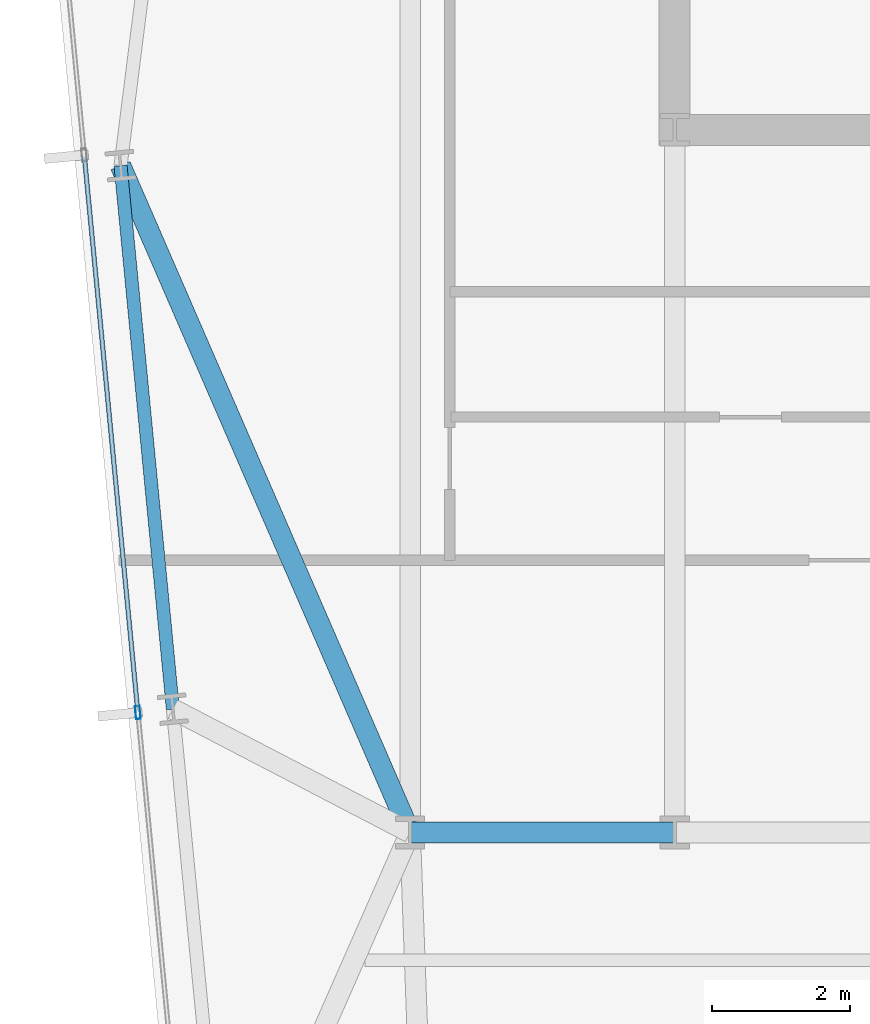
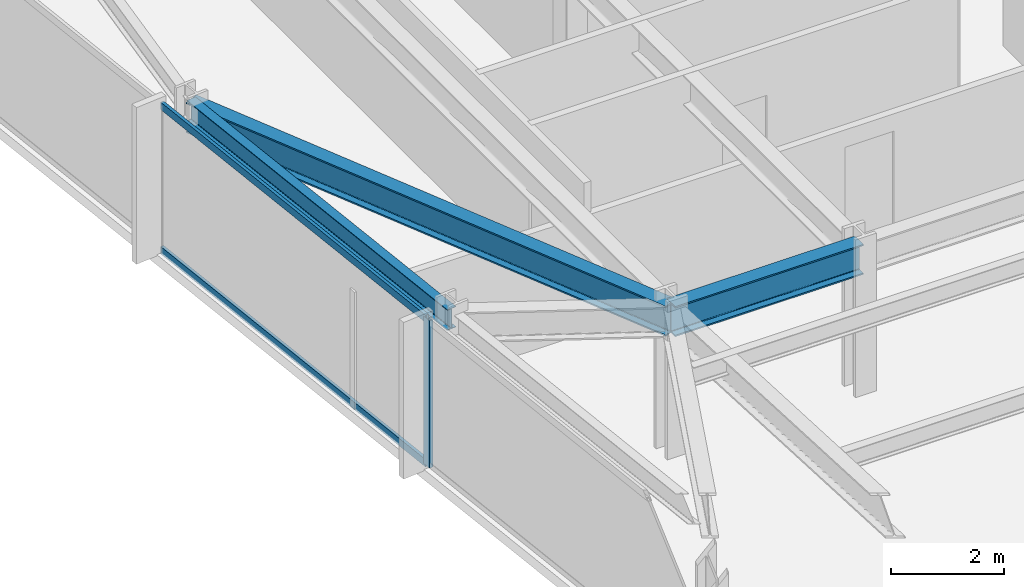
# One storey, part 6 of 32: 3 beams, 3 members, 1 element without a shape of its own.
"""IFC4 building model written with IfcOpenShell, lengths in metres."""

from ifc_helpers import new_model, si_unit, direction, frame, origin, origin_2d, place, context, subcontext, project, spatial, hollow_rectangle, i_section, extrude, material, material_profile, profile_set, type_object, element, aggregate, save


model = new_model("IFC4")

# Units and contexts
model_context = context("Model", 3, precision=1e-05, world=origin(), true_north=direction((0.0, 1.0)))
body_context = subcontext(model_context, "Body", "Model", "MODEL_VIEW")
ifc_project = project(units=[si_unit("LENGTHUNIT", "METRE"), si_unit("AREAUNIT", "SQUARE_METRE"), si_unit("VOLUMEUNIT", "CUBIC_METRE"), si_unit("PLANEANGLEUNIT", "RADIAN"), si_unit("MASSUNIT", "GRAM", prefix="KILO")], contexts=[model_context])

# Site, building, storey
site_placement = place(None, origin())
site = spatial("IfcSite", under=ifc_project, at=site_placement, CompositionType="ELEMENT")
building_placement = place(site_placement, origin())
building = spatial("IfcBuilding", under=site, at=building_placement, Name="Yelkora Congress Tower", CompositionType="ELEMENT")
storey_placement = place(building_placement, frame((0.0, 0.0, 116.89990234375)))
storey = spatial("IfcBuildingStorey", under=building, at=storey_placement, Name="L31", CompositionType="ELEMENT", Elevation=116.89990234375)

# Beams
ifc_material_1 = material(Name="Steel S355J2", Category="steel")
ifc_material_profile_1 = material_profile(ifc_material_1, i_section(OverallWidth=0.300048828125, OverallDepth=0.64990234375, WebThickness=0.01611328125, FlangeThickness=0.031005859375, FilletRadius=0.027099609375, at=origin_2d()), Name="HEB 650")
ifc_profile_set_1 = profile_set([ifc_material_profile_1], Name="Steel S355J2")
beam_type_1 = type_object("IfcBeamType", Name="BM-GIRD-HEB650", PredefinedType="BEAM", material=ifc_profile_set_1)
beam_1_placement = place(storey_placement, frame((19.199951171875, 25.199951171875, 2.85498046875), z_axis=(1.0, 0.0, 0.0), x_axis=(0.0, 1.0, 0.0)))
element("IfcBeam", 1, at=beam_1_placement, inside=storey, type_object=beam_type_1, Name="L31 Spine Grid D Girder 1", PredefinedType="BEAM", context=body_context, shape_type="SweptSolid", body=[
    extrude(i_section(OverallWidth=0.300048828125, OverallDepth=0.64990234375, WebThickness=0.01611328125, FlangeThickness=0.031005859375, FilletRadius=0.027099609375, at=origin_2d()), origin(), (0.0, 0.0, 1.0), 3.840087890625),
])
beam_2_placement = place(storey_placement, frame((14.997314453125, 34.87890625, 2.85498046875), z_axis=(0.398279362914, -0.917264165373, 0.0), x_axis=(0.917264165373, 0.398279362914, 0.0)))
element("IfcBeam", 2, at=beam_2_placement, inside=storey, type_object=beam_type_1, Name="L31 Primary Frame Girder W03", PredefinedType="BEAM", context=body_context, shape_type="SweptSolid", body=[
    extrude(i_section(OverallWidth=0.300048828125, OverallDepth=0.64990234375, WebThickness=0.01611328125, FlangeThickness=0.031005859375, FilletRadius=0.027099609375, at=origin_2d()), origin(), (0.0, 0.0, 1.0), 10.552001953125),
])
ifc_material_profile_2 = material_profile(ifc_material_1, i_section(OverallWidth=0.18994140625, OverallDepth=0.449951171875, WebThickness=0.009521484375, FlangeThickness=0.0146484375, FilletRadius=0.02099609375, at=origin_2d()), Name="IPE 450")
ifc_profile_set_2 = profile_set([ifc_material_profile_2], Name="Steel S355J2")
beam_type_2 = type_object("IfcBeamType", Name="BM-SPAN-IPE450", PredefinedType="SPANDREL", material=ifc_profile_set_2)
beam_3_placement = place(storey_placement, frame((14.997314453125, 34.87890625, 2.955078125), z_axis=(0.095870310714, -0.995393833376, 0.0), x_axis=(0.995393833376, 0.095870310714, 0.0)))
element("IfcBeam", 3, at=beam_3_placement, inside=storey, type_object=beam_type_2, Name="L31 Perimeter Beam 19", PredefinedType="SPANDREL", context=body_context, shape_type="SweptSolid", body=[
    extrude(i_section(OverallWidth=0.18994140625, OverallDepth=0.449951171875, WebThickness=0.009521484375, FlangeThickness=0.0146484375, FilletRadius=0.02099609375, at=origin_2d()), origin(), (0.0, 0.0, 1.0), 7.925048828125),
])

# Curtain wall, members
ifc_material_2 = material(Name="Anodised aluminium and insulated glass", Category="aluminium")
curtain_wall_type = type_object("IfcCurtainWallType", Name="CW-SYS-B2", PredefinedType="NOTDEFINED", material=ifc_material_2)
curtain_wall_placement = place(storey_placement, origin())
curtain_wall = element("IfcCurtainWall", 4, at=curtain_wall_placement, inside=storey, type_object=curtain_wall_type, Name="L31 Unitised Curtain Wall 5", PredefinedType="NOTDEFINED")
ifc_material_3 = material(Name="Anodised aluminium 6063-T6", Category="aluminium")
ifc_material_profile_3 = material_profile(ifc_material_3, hollow_rectangle(XDim=0.070068359375, YDim=0.18994140625, WallThickness=0.00390625, at=origin_2d()), Name="ALU 70x190x4")
ifc_profile_set_3 = profile_set([ifc_material_profile_3], Name="Anodised aluminium 6063-T6")
member_type_1 = type_object("IfcMemberType", Name="MEM-ML-B2", PredefinedType="MULLION", material=ifc_profile_set_3)
member_1_placement = place(storey_placement, frame((15.249267578125, 26.941650390625, 0.0), z_axis=(0.0, 0.0, 1.0), x_axis=(-0.995396507508, -0.095842541913, 0.0)))
member_1 = element("IfcMember", 5, at=member_1_placement, type_object=member_type_1, Name="CW-B2 mullion 3", PredefinedType="MULLION", context=body_context, shape_type="SweptSolid", body=[
    extrude(hollow_rectangle(XDim=0.070068359375, YDim=0.18994140625, WallThickness=0.00390625, at=origin_2d()), origin(), (0.0, 0.0, 1.0), 3.18017578125),
])
ifc_material_profile_4 = material_profile(ifc_material_3, hollow_rectangle(XDim=0.06494140625, YDim=0.159912109375, WallThickness=0.00390625, at=origin_2d()), Name="ALU 65x160x4")
ifc_profile_set_4 = profile_set([ifc_material_profile_4], Name="Anodised aluminium 6063-T6")
member_type_2 = type_object("IfcMemberType", Name="MEM-TR-B2", PredefinedType="USERDEFINED", material=ifc_profile_set_4)
member_2_placement = place(storey_placement, frame((15.245849609375, 26.976318359375, 0.03271484375), z_axis=(-0.095838228465, 0.995396922823, 0.0), x_axis=(-0.995396922823, -0.095838228465, 0.0)))
member_2 = element("IfcMember", 6, at=member_2_placement, type_object=member_type_2, Name="CW-B2 transom 3.1", ObjectType="TRANSOM", PredefinedType="USERDEFINED", context=body_context, shape_type="SweptSolid", body=[
    extrude(hollow_rectangle(XDim=0.06494140625, YDim=0.159912109375, WallThickness=0.00390625, at=origin_2d()), origin(), (0.0, 0.0, 1.0), 8.06005859375),
])
member_3_placement = place(storey_placement, frame((15.245849609375, 26.976318359375, 3.147705078125), z_axis=(-0.095838228465, 0.995396922823, 0.0), x_axis=(-0.995396922823, -0.095838228465, 0.0)))
member_3 = element("IfcMember", 7, at=member_3_placement, type_object=member_type_2, Name="CW-B2 transom 3.2", ObjectType="TRANSOM", PredefinedType="USERDEFINED", context=body_context, shape_type="SweptSolid", body=[
    extrude(hollow_rectangle(XDim=0.06494140625, YDim=0.159912109375, WallThickness=0.00390625, at=origin_2d()), origin(), (0.0, 0.0, 1.0), 8.06005859375),
])
aggregate(curtain_wall, [member_1, member_2, member_3])

save(model, "model.ifc")
